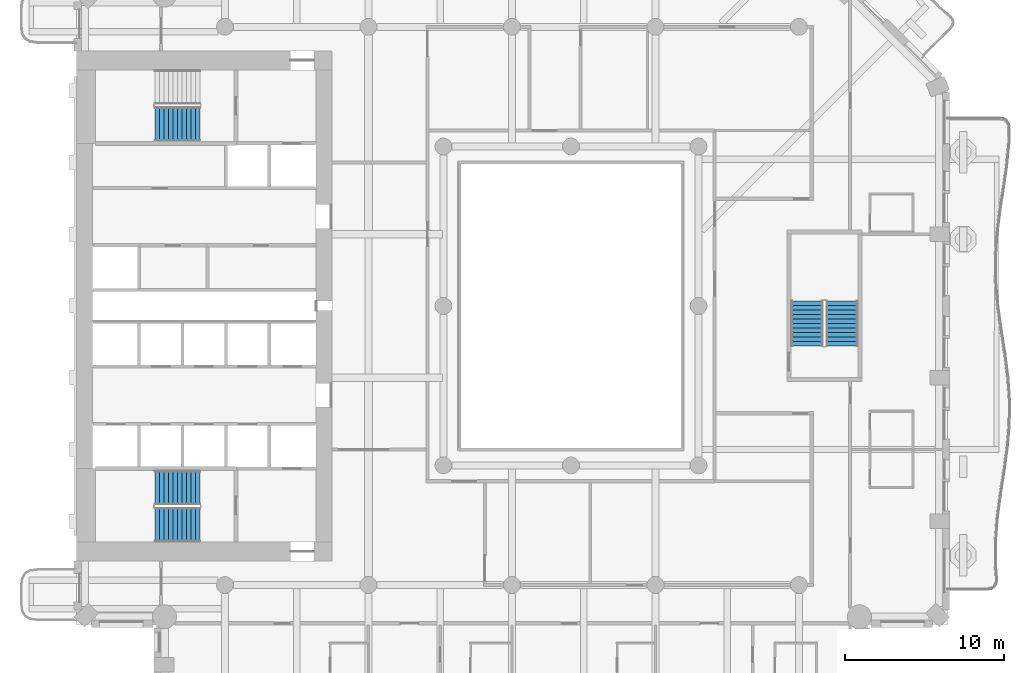
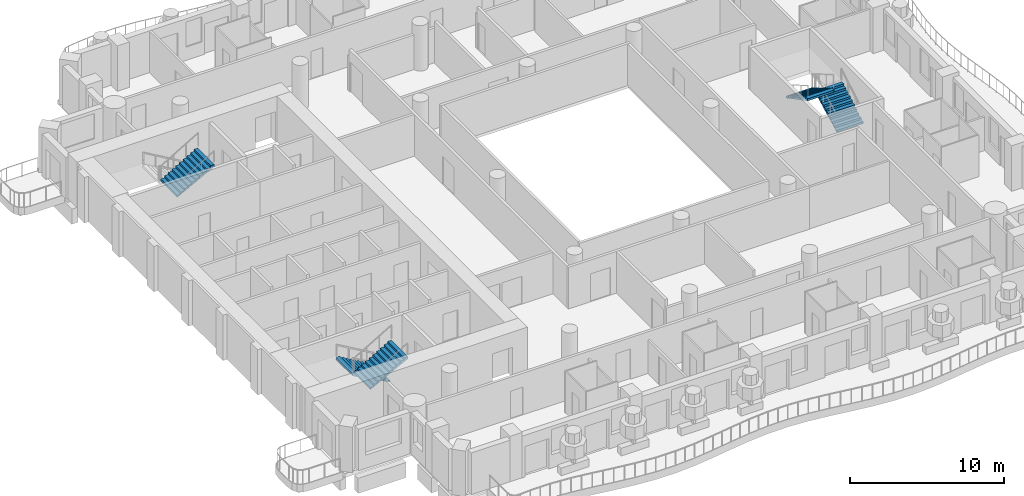
# One storey, part 10 of 19: 5 stair flights, 3 elements without a shape of their own.
"""IFC4 building model written with IfcOpenShell, lengths in metres."""

from ifc_helpers import new_model, si_unit, direction, frame, origin, place, context, subcontext, project, spatial, triangles, material, type_object, element, aggregate, save


model = new_model("IFC4")

# Units and contexts
model_context = context("Model", 3, precision=1e-05, world=origin(), true_north=direction((0.0, 1.0)))
body_context = subcontext(model_context, "Body", "Model", "MODEL_VIEW")
ifc_project = project(units=[si_unit("LENGTHUNIT", "METRE"), si_unit("AREAUNIT", "SQUARE_METRE"), si_unit("VOLUMEUNIT", "CUBIC_METRE"), si_unit("PLANEANGLEUNIT", "RADIAN"), si_unit("MASSUNIT", "GRAM", prefix="KILO")], contexts=[model_context])

# Site, building, storey
site_placement = place(None, origin())
site = spatial("IfcSite", under=ifc_project, at=site_placement, CompositionType="ELEMENT")
building_placement = place(site_placement, origin())
building = spatial("IfcBuilding", under=site, at=building_placement, Name="Cypress Arch Tower", CompositionType="ELEMENT")
storey_placement = place(building_placement, frame((0.0, 0.0, 105.89990234375)))
storey = spatial("IfcBuildingStorey", under=building, at=storey_placement, Name="L21", CompositionType="ELEMENT", Elevation=105.89990234375)

# Stair, stair flights
ifc_material_1 = material(Name="Concrete C40/50", Category="concrete")
stair_type_1 = type_object("IfcStairType", Name="Exit stair ES1636-200", PredefinedType="HALF_TURN_STAIR", material=ifc_material_1)
stair_1_placement = place(storey_placement, origin())
stair_1 = element("IfcStair", 1, at=stair_1_placement, inside=storey, type_object=stair_type_1, Name="L21 Exit stair C", PredefinedType="HALF_TURN_STAIR")
ifc_material_2 = material(Name="Concrete C40/50", Category="concrete")
stair_flight_type_1 = type_object("IfcStairFlightType", Name="Exit stair flight ES1636-200", PredefinedType="STRAIGHT", material=ifc_material_2)
stair_flight_1_placement = place(storey_placement, frame((18.0, -2.5, 0.0), z_axis=(0.0, 0.0, 1.0), x_axis=(0.0, 1.0, 0.0)))
stair_flight_1 = element("IfcStairFlight", 2, at=stair_flight_1_placement, type_object=stair_flight_type_1, Name="C flight 1", NumberOfRisers=11, NumberOfTreads=10, PredefinedType="STRAIGHT", RiserHeight=0.163636364, TreadLength=0.28, context=body_context, shape_type="Tessellation", body=[
    triangles([(0.0, -1.0, 0.0), (0.00048828125, -1.0, 0.054443359375), (0.00048828125, -1.0, 0.109130859375), (0.0, -1.0, 0.16357421875), (0.280029296875, -1.0, 0.16357421875), (0.280029296875, -1.0, 0.327392578125), (0.56005859375, -1.0, 0.327392578125), (0.56005859375, -1.0, 0.490966796875), (0.840087890625, -1.0, 0.490966796875), (0.840087890625, -1.0, 0.654541015625), (1.1201171875, -1.0, 0.654541015625), (1.1201171875, -1.0, 0.818115234375), (1.39990234375, -1.0, 0.818115234375), (1.39990234375, -1.0, 0.98193359375), (1.679931640625, -1.0, 0.98193359375), (1.679931640625, -1.0, 1.1455078125), (1.9599609375, -1.0, 1.1455078125), (1.9599609375, -1.0, 1.30908203125), (2.239990234375, -1.0, 1.30908203125), (2.239990234375, -1.0, 1.47265625), (2.52001953125, -1.0, 1.47265625), (2.52001953125, -1.0, 1.636474609375), (2.800048828125, -1.0, 1.636474609375), (2.799560546875, -1.0, 1.57861328125), (2.799560546875, -1.0, 1.5205078125), (2.800048828125, -1.0, 1.462646484375), (2.800048828125, 1.0, 1.462646484375), (2.799560546875, 1.0, 1.5205078125), (2.799560546875, 1.0, 1.57861328125), (2.800048828125, 1.0, 1.636474609375), (2.52001953125, 1.0, 1.636474609375), (2.52001953125, 1.0, 1.47265625), (2.239990234375, 1.0, 1.47265625), (2.239990234375, 1.0, 1.30908203125), (1.9599609375, 1.0, 1.30908203125), (1.9599609375, 1.0, 1.1455078125), (1.679931640625, 1.0, 1.1455078125), (1.679931640625, 1.0, 0.98193359375), (1.39990234375, 1.0, 0.98193359375), (1.39990234375, 1.0, 0.818115234375), (1.1201171875, 1.0, 0.818115234375), (1.1201171875, 1.0, 0.654541015625), (0.840087890625, 1.0, 0.654541015625), (0.840087890625, 1.0, 0.490966796875), (0.56005859375, 1.0, 0.490966796875), (0.56005859375, 1.0, 0.327392578125), (0.280029296875, 1.0, 0.327392578125), (0.280029296875, 1.0, 0.16357421875), (0.0, 1.0, 0.16357421875), (0.00048828125, 1.0, 0.109130859375), (0.00048828125, 1.0, 0.054443359375), (0.0, 1.0, 0.0), (2.799560546875, 0.0, 1.5205078125), (2.800048828125, 0.0, 1.462646484375), (2.799560546875, 0.0, 1.57861328125), (2.800048828125, 0.0, 1.636474609375), (2.52001953125, 0.0, 1.636474609375), (2.52001953125, 0.0, 1.47265625), (2.239990234375, 0.0, 1.47265625), (2.239990234375, 0.0, 1.30908203125), (1.9599609375, 0.0, 1.30908203125), (1.9599609375, 0.0, 1.1455078125), (1.679931640625, 0.0, 1.1455078125), (1.679931640625, 0.0, 0.98193359375), (1.39990234375, 0.0, 0.98193359375), (1.39990234375, 0.0, 0.818115234375), (1.1201171875, 0.0, 0.818115234375), (1.1201171875, 0.0, 0.654541015625), (0.840087890625, 0.0, 0.654541015625), (0.840087890625, 0.0, 0.490966796875), (0.56005859375, 0.0, 0.490966796875), (0.56005859375, 0.0, 0.327392578125), (0.280029296875, 0.0, 0.327392578125), (0.280029296875, 0.0, 0.16357421875), (0.0, 0.0, 0.16357421875), (0.00048828125, 0.0, 0.109130859375), (0.00048828125, 0.0, 0.054443359375), (0.0, 0.0, 0.0)], [[26, 25, 22], [25, 24, 22], [24, 23, 22], [15, 14, 13], [7, 6, 5], [13, 12, 11], [21, 20, 19], [19, 18, 17], [17, 16, 15], [11, 10, 9], [9, 8, 7], [4, 3, 5], [3, 2, 5], [2, 1, 5], [26, 22, 21], [26, 21, 19], [26, 19, 17], [26, 17, 15], [26, 15, 13], [26, 13, 11], [26, 11, 9], [26, 9, 7], [26, 7, 5], [26, 5, 1], [27, 31, 28], [28, 31, 29], [29, 31, 30], [38, 40, 39], [46, 48, 47], [40, 42, 41], [32, 34, 33], [34, 36, 35], [36, 38, 37], [42, 44, 43], [44, 46, 45], [49, 48, 50], [50, 48, 51], [51, 48, 52], [27, 32, 31], [27, 34, 32], [27, 36, 34], [27, 38, 36], [27, 40, 38], [27, 42, 40], [27, 44, 42], [27, 46, 44], [27, 48, 46], [27, 52, 48], [54, 53, 25], [54, 25, 26], [27, 28, 53], [27, 53, 54], [53, 55, 24], [53, 24, 25], [28, 29, 55], [28, 55, 53], [55, 56, 23], [55, 23, 24], [29, 30, 56], [29, 56, 55], [56, 57, 22], [56, 22, 23], [30, 31, 57], [30, 57, 56], [57, 58, 21], [57, 21, 22], [31, 32, 58], [31, 58, 57], [58, 59, 20], [58, 20, 21], [32, 33, 59], [32, 59, 58], [59, 60, 19], [59, 19, 20], [33, 34, 60], [33, 60, 59], [60, 61, 18], [60, 18, 19], [34, 35, 61], [34, 61, 60], [61, 62, 17], [61, 17, 18], [35, 36, 62], [35, 62, 61], [62, 63, 16], [62, 16, 17], [36, 37, 63], [36, 63, 62], [63, 64, 15], [63, 15, 16], [37, 38, 64], [37, 64, 63], [64, 65, 14], [64, 14, 15], [38, 39, 65], [38, 65, 64], [65, 66, 13], [65, 13, 14], [39, 40, 66], [39, 66, 65], [66, 67, 12], [66, 12, 13], [40, 41, 67], [40, 67, 66], [67, 68, 11], [67, 11, 12], [41, 42, 68], [41, 68, 67], [68, 69, 10], [68, 10, 11], [42, 43, 69], [42, 69, 68], [69, 70, 9], [69, 9, 10], [43, 44, 70], [43, 70, 69], [70, 71, 8], [70, 8, 9], [44, 45, 71], [44, 71, 70], [71, 72, 7], [71, 7, 8], [45, 46, 72], [45, 72, 71], [72, 73, 6], [72, 6, 7], [46, 47, 73], [46, 73, 72], [73, 74, 5], [73, 5, 6], [47, 48, 74], [47, 74, 73], [74, 75, 4], [74, 4, 5], [48, 49, 75], [48, 75, 74], [75, 76, 3], [75, 3, 4], [49, 50, 76], [49, 76, 75], [76, 77, 2], [76, 2, 3], [50, 51, 77], [50, 77, 76], [77, 78, 1], [77, 1, 2], [51, 52, 78], [51, 78, 77], [78, 54, 26], [78, 26, 1], [52, 27, 54], [52, 54, 78]], closed=True),
])
stair_flight_2_placement = place(storey_placement, frame((15.800048828125, 0.300048828125, 1.800048828125), z_axis=(0.0, 0.0, 1.0), x_axis=(0.0, -1.0, 0.0)))
stair_flight_2 = element("IfcStairFlight", 3, at=stair_flight_2_placement, type_object=stair_flight_type_1, Name="C flight 2", NumberOfRisers=11, NumberOfTreads=10, PredefinedType="STRAIGHT", RiserHeight=0.163636364, TreadLength=0.28, context=body_context, shape_type="Tessellation", body=[
    triangles([(0.0, -1.0, 0.0), (0.00048828125, -1.0, 0.054443359375), (0.00048828125, -1.0, 0.109130859375), (0.0, -1.0, 0.16357421875), (0.280029296875, -1.0, 0.16357421875), (0.280029296875, -1.0, 0.327392578125), (0.56005859375, -1.0, 0.327392578125), (0.56005859375, -1.0, 0.490966796875), (0.840087890625, -1.0, 0.490966796875), (0.840087890625, -1.0, 0.654541015625), (1.1201171875, -1.0, 0.654541015625), (1.1201171875, -1.0, 0.818115234375), (1.39990234375, -1.0, 0.818115234375), (1.39990234375, -1.0, 0.98193359375), (1.679931640625, -1.0, 0.98193359375), (1.679931640625, -1.0, 1.1455078125), (1.9599609375, -1.0, 1.1455078125), (1.9599609375, -1.0, 1.30908203125), (2.239990234375, -1.0, 1.30908203125), (2.239990234375, -1.0, 1.47265625), (2.52001953125, -1.0, 1.47265625), (2.52001953125, -1.0, 1.636474609375), (2.800048828125, -1.0, 1.636474609375), (2.799560546875, -1.0, 1.57861328125), (2.799560546875, -1.0, 1.5205078125), (2.800048828125, -1.0, 1.462646484375), (2.800048828125, 1.0, 1.462646484375), (2.799560546875, 1.0, 1.5205078125), (2.799560546875, 1.0, 1.57861328125), (2.800048828125, 1.0, 1.636474609375), (2.52001953125, 1.0, 1.636474609375), (2.52001953125, 1.0, 1.47265625), (2.239990234375, 1.0, 1.47265625), (2.239990234375, 1.0, 1.30908203125), (1.9599609375, 1.0, 1.30908203125), (1.9599609375, 1.0, 1.1455078125), (1.679931640625, 1.0, 1.1455078125), (1.679931640625, 1.0, 0.98193359375), (1.39990234375, 1.0, 0.98193359375), (1.39990234375, 1.0, 0.818115234375), (1.1201171875, 1.0, 0.818115234375), (1.1201171875, 1.0, 0.654541015625), (0.840087890625, 1.0, 0.654541015625), (0.840087890625, 1.0, 0.490966796875), (0.56005859375, 1.0, 0.490966796875), (0.56005859375, 1.0, 0.327392578125), (0.280029296875, 1.0, 0.327392578125), (0.280029296875, 1.0, 0.16357421875), (0.0, 1.0, 0.16357421875), (0.00048828125, 1.0, 0.109130859375), (0.00048828125, 1.0, 0.054443359375), (0.0, 1.0, 0.0), (2.799560546875, 0.0, 1.5205078125), (2.800048828125, 0.0, 1.462646484375), (2.799560546875, 0.0, 1.57861328125), (2.800048828125, 0.0, 1.636474609375), (2.52001953125, 0.0, 1.636474609375), (2.52001953125, 0.0, 1.47265625), (2.239990234375, 0.0, 1.47265625), (2.239990234375, 0.0, 1.30908203125), (1.9599609375, 0.0, 1.30908203125), (1.9599609375, 0.0, 1.1455078125), (1.679931640625, 0.0, 1.1455078125), (1.679931640625, 0.0, 0.98193359375), (1.39990234375, 0.0, 0.98193359375), (1.39990234375, 0.0, 0.818115234375), (1.1201171875, 0.0, 0.818115234375), (1.1201171875, 0.0, 0.654541015625), (0.840087890625, 0.0, 0.654541015625), (0.840087890625, 0.0, 0.490966796875), (0.56005859375, 0.0, 0.490966796875), (0.56005859375, 0.0, 0.327392578125), (0.280029296875, 0.0, 0.327392578125), (0.280029296875, 0.0, 0.16357421875), (0.0, 0.0, 0.16357421875), (0.00048828125, 0.0, 0.109130859375), (0.00048828125, 0.0, 0.054443359375), (0.0, 0.0, 0.0)], [[26, 25, 22], [25, 24, 22], [24, 23, 22], [15, 14, 13], [7, 6, 5], [13, 12, 11], [21, 20, 19], [19, 18, 17], [17, 16, 15], [11, 10, 9], [9, 8, 7], [4, 3, 5], [3, 2, 5], [2, 1, 5], [26, 22, 21], [26, 21, 19], [26, 19, 17], [26, 17, 15], [26, 15, 13], [26, 13, 11], [26, 11, 9], [26, 9, 7], [26, 7, 5], [26, 5, 1], [27, 31, 28], [28, 31, 29], [29, 31, 30], [38, 40, 39], [46, 48, 47], [40, 42, 41], [32, 34, 33], [34, 36, 35], [36, 38, 37], [42, 44, 43], [44, 46, 45], [49, 48, 50], [50, 48, 51], [51, 48, 52], [27, 32, 31], [27, 34, 32], [27, 36, 34], [27, 38, 36], [27, 40, 38], [27, 42, 40], [27, 44, 42], [27, 46, 44], [27, 48, 46], [27, 52, 48], [54, 53, 25], [54, 25, 26], [27, 28, 53], [27, 53, 54], [53, 55, 24], [53, 24, 25], [28, 29, 55], [28, 55, 53], [55, 56, 23], [55, 23, 24], [29, 30, 56], [29, 56, 55], [56, 57, 22], [56, 22, 23], [30, 31, 57], [30, 57, 56], [57, 58, 21], [57, 21, 22], [31, 32, 58], [31, 58, 57], [58, 59, 20], [58, 20, 21], [32, 33, 59], [32, 59, 58], [59, 60, 19], [59, 19, 20], [33, 34, 60], [33, 60, 59], [60, 61, 18], [60, 18, 19], [34, 35, 61], [34, 61, 60], [61, 62, 17], [61, 17, 18], [35, 36, 62], [35, 62, 61], [62, 63, 16], [62, 16, 17], [36, 37, 63], [36, 63, 62], [63, 64, 15], [63, 15, 16], [37, 38, 64], [37, 64, 63], [64, 65, 14], [64, 14, 15], [38, 39, 65], [38, 65, 64], [65, 66, 13], [65, 13, 14], [39, 40, 66], [39, 66, 65], [66, 67, 12], [66, 12, 13], [40, 41, 67], [40, 67, 66], [67, 68, 11], [67, 11, 12], [41, 42, 68], [41, 68, 67], [68, 69, 10], [68, 10, 11], [42, 43, 69], [42, 69, 68], [69, 70, 9], [69, 9, 10], [43, 44, 70], [43, 70, 69], [70, 71, 8], [70, 8, 9], [44, 45, 71], [44, 71, 70], [71, 72, 7], [71, 7, 8], [45, 46, 72], [45, 72, 71], [72, 73, 6], [72, 6, 7], [46, 47, 73], [46, 73, 72], [73, 74, 5], [73, 5, 6], [47, 48, 74], [47, 74, 73], [74, 75, 4], [74, 4, 5], [48, 49, 75], [48, 75, 74], [75, 76, 3], [75, 3, 4], [49, 50, 76], [49, 76, 75], [76, 77, 2], [76, 2, 3], [50, 51, 77], [50, 77, 76], [77, 78, 1], [77, 1, 2], [51, 52, 78], [51, 78, 77], [78, 54, 26], [78, 26, 1], [52, 27, 54], [52, 54, 78]], closed=True),
])
aggregate(stair_1, [stair_flight_1, stair_flight_2])

ifc_material_3 = material(Name="Concrete C40/50", Category="concrete")
stair_type_2 = type_object("IfcStairType", Name="Exit stair ES1636-215", PredefinedType="HALF_TURN_STAIR", material=ifc_material_3)
stair_2_placement = place(storey_placement, origin())
stair_2 = element("IfcStair", 4, at=stair_2_placement, inside=storey, type_object=stair_type_2, Name="L21 Exit stair A", PredefinedType="HALF_TURN_STAIR")
ifc_material_4 = material(Name="Concrete C40/50", Category="concrete")
stair_flight_type_2 = type_object("IfcStairFlightType", Name="Exit stair flight ES1636-215", PredefinedType="STRAIGHT", material=ifc_material_4)
stair_flight_3_placement = place(storey_placement, frame((-22.27490234375, -11.39990234375, 0.0), z_axis=(0.0, 0.0, 1.0), x_axis=(-1.0, 0.0, 0.0)))
stair_flight_3 = element("IfcStairFlight", 5, at=stair_flight_3_placement, type_object=stair_flight_type_2, Name="A flight 1", NumberOfRisers=11, NumberOfTreads=10, PredefinedType="STRAIGHT", RiserHeight=0.163636364, TreadLength=0.28, context=body_context, shape_type="Tessellation", body=[
    triangles([(0.0, -1.074951171875, 0.0), (0.000244140625, -1.074951171875, 0.03271484375), (0.00048828125, -1.074951171875, 0.0654296875), (0.00048828125, -1.074951171875, 0.09814453125), (0.000244140625, -1.074951171875, 0.130859375), (0.0, -1.074951171875, 0.16357421875), (0.280029296875, -1.074951171875, 0.16357421875), (0.280029296875, -1.074951171875, 0.327392578125), (0.56005859375, -1.074951171875, 0.327392578125), (0.56005859375, -1.074951171875, 0.490966796875), (0.840087890625, -1.074951171875, 0.490966796875), (0.840087890625, -1.074951171875, 0.654541015625), (1.1201171875, -1.074951171875, 0.654541015625), (1.1201171875, -1.074951171875, 0.818115234375), (1.39990234375, -1.074951171875, 0.818115234375), (1.39990234375, -1.074951171875, 0.98193359375), (1.679931640625, -1.074951171875, 0.98193359375), (1.679931640625, -1.074951171875, 1.1455078125), (1.9599609375, -1.074951171875, 1.1455078125), (1.9599609375, -1.074951171875, 1.30908203125), (2.239990234375, -1.074951171875, 1.30908203125), (2.239990234375, -1.074951171875, 1.47265625), (2.52001953125, -1.074951171875, 1.47265625), (2.52001953125, -1.074951171875, 1.636474609375), (2.800048828125, -1.074951171875, 1.636474609375), (2.7998046875, -1.074951171875, 1.601806640625), (2.799560546875, -1.074951171875, 1.56689453125), (2.799560546875, -1.074951171875, 1.5322265625), (2.7998046875, -1.074951171875, 1.497314453125), (2.800048828125, -1.074951171875, 1.462646484375), (2.800048828125, 1.074951171875, 1.462646484375), (2.7998046875, 1.074951171875, 1.497314453125), (2.799560546875, 1.074951171875, 1.5322265625), (2.799560546875, 1.074951171875, 1.56689453125), (2.7998046875, 1.074951171875, 1.601806640625), (2.800048828125, 1.074951171875, 1.636474609375), (2.52001953125, 1.074951171875, 1.636474609375), (2.52001953125, 1.074951171875, 1.47265625), (2.239990234375, 1.074951171875, 1.47265625), (2.239990234375, 1.074951171875, 1.30908203125), (1.9599609375, 1.074951171875, 1.30908203125), (1.9599609375, 1.074951171875, 1.1455078125), (1.679931640625, 1.074951171875, 1.1455078125), (1.679931640625, 1.074951171875, 0.98193359375), (1.39990234375, 1.074951171875, 0.98193359375), (1.39990234375, 1.074951171875, 0.818115234375), (1.1201171875, 1.074951171875, 0.818115234375), (1.1201171875, 1.074951171875, 0.654541015625), (0.840087890625, 1.074951171875, 0.654541015625), (0.840087890625, 1.074951171875, 0.490966796875), (0.56005859375, 1.074951171875, 0.490966796875), (0.56005859375, 1.074951171875, 0.327392578125), (0.280029296875, 1.074951171875, 0.327392578125), (0.280029296875, 1.074951171875, 0.16357421875), (0.0, 1.074951171875, 0.16357421875), (0.000244140625, 1.074951171875, 0.130859375), (0.00048828125, 1.074951171875, 0.09814453125), (0.00048828125, 1.074951171875, 0.0654296875), (0.000244140625, 1.074951171875, 0.03271484375), (0.0, 1.074951171875, 0.0), (2.7998046875, 0.0, 1.497314453125), (2.800048828125, 0.0, 1.462646484375), (2.799560546875, 0.0, 1.5322265625), (2.799560546875, 0.0, 1.56689453125), (2.7998046875, 0.0, 1.601806640625), (2.800048828125, 0.0, 1.636474609375), (2.52001953125, 0.0, 1.636474609375), (2.52001953125, 0.0, 1.47265625), (2.239990234375, 0.0, 1.47265625), (2.239990234375, 0.0, 1.30908203125), (1.9599609375, 0.0, 1.30908203125), (1.9599609375, 0.0, 1.1455078125), (1.679931640625, 0.0, 1.1455078125), (1.679931640625, 0.0, 0.98193359375), (1.39990234375, 0.0, 0.98193359375), (1.39990234375, 0.0, 0.818115234375), (1.1201171875, 0.0, 0.818115234375), (1.1201171875, 0.0, 0.654541015625), (0.840087890625, 0.0, 0.654541015625), (0.840087890625, 0.0, 0.490966796875), (0.56005859375, 0.0, 0.490966796875), (0.56005859375, 0.0, 0.327392578125), (0.280029296875, 0.0, 0.327392578125), (0.280029296875, 0.0, 0.16357421875), (0.0, 0.0, 0.16357421875), (0.000244140625, 0.0, 0.130859375), (0.00048828125, 0.0, 0.09814453125), (0.00048828125, 0.0, 0.0654296875), (0.000244140625, 0.0, 0.03271484375), (0.0, 0.0, 0.0)], [[30, 29, 24], [29, 28, 24], [28, 27, 24], [27, 26, 24], [26, 25, 24], [17, 16, 15], [9, 8, 7], [15, 14, 13], [23, 22, 21], [21, 20, 19], [19, 18, 17], [13, 12, 11], [11, 10, 9], [6, 5, 7], [5, 4, 7], [4, 3, 7], [3, 2, 7], [2, 1, 7], [30, 24, 23], [30, 23, 21], [30, 21, 19], [30, 19, 17], [30, 17, 15], [30, 15, 13], [30, 13, 11], [30, 11, 9], [30, 9, 7], [30, 7, 1], [31, 37, 32], [32, 37, 33], [33, 37, 34], [34, 37, 35], [35, 37, 36], [44, 46, 45], [52, 54, 53], [46, 48, 47], [38, 40, 39], [40, 42, 41], [42, 44, 43], [48, 50, 49], [50, 52, 51], [55, 54, 56], [56, 54, 57], [57, 54, 58], [58, 54, 59], [59, 54, 60], [31, 38, 37], [31, 40, 38], [31, 42, 40], [31, 44, 42], [31, 46, 44], [31, 48, 46], [31, 50, 48], [31, 52, 50], [31, 54, 52], [31, 60, 54], [62, 61, 29], [62, 29, 30], [31, 32, 61], [31, 61, 62], [61, 63, 28], [61, 28, 29], [32, 33, 63], [32, 63, 61], [63, 64, 27], [63, 27, 28], [33, 34, 64], [33, 64, 63], [64, 65, 26], [64, 26, 27], [34, 35, 65], [34, 65, 64], [65, 66, 25], [65, 25, 26], [35, 36, 66], [35, 66, 65], [66, 67, 24], [66, 24, 25], [36, 37, 67], [36, 67, 66], [67, 68, 23], [67, 23, 24], [37, 38, 68], [37, 68, 67], [68, 69, 22], [68, 22, 23], [38, 39, 69], [38, 69, 68], [69, 70, 21], [69, 21, 22], [39, 40, 70], [39, 70, 69], [70, 71, 20], [70, 20, 21], [40, 41, 71], [40, 71, 70], [71, 72, 19], [71, 19, 20], [41, 42, 72], [41, 72, 71], [72, 73, 18], [72, 18, 19], [42, 43, 73], [42, 73, 72], [73, 74, 17], [73, 17, 18], [43, 44, 74], [43, 74, 73], [74, 75, 16], [74, 16, 17], [44, 45, 75], [44, 75, 74], [75, 76, 15], [75, 15, 16], [45, 46, 76], [45, 76, 75], [76, 77, 14], [76, 14, 15], [46, 47, 77], [46, 77, 76], [77, 78, 13], [77, 13, 14], [47, 48, 78], [47, 78, 77], [78, 79, 12], [78, 12, 13], [48, 49, 79], [48, 79, 78], [79, 80, 11], [79, 11, 12], [49, 50, 80], [49, 80, 79], [80, 81, 10], [80, 10, 11], [50, 51, 81], [50, 81, 80], [81, 82, 9], [81, 9, 10], [51, 52, 82], [51, 82, 81], [82, 83, 8], [82, 8, 9], [52, 53, 83], [52, 83, 82], [83, 84, 7], [83, 7, 8], [53, 54, 84], [53, 84, 83], [84, 85, 6], [84, 6, 7], [54, 55, 85], [54, 85, 84], [85, 86, 5], [85, 5, 6], [55, 56, 86], [55, 86, 85], [86, 87, 4], [86, 4, 5], [56, 57, 87], [56, 87, 86], [87, 88, 3], [87, 3, 4], [57, 58, 88], [57, 88, 87], [88, 89, 2], [88, 2, 3], [58, 59, 89], [58, 89, 88], [89, 90, 1], [89, 1, 2], [59, 60, 90], [59, 90, 89], [90, 62, 30], [90, 30, 1], [60, 31, 62], [60, 62, 90]], closed=True),
])
stair_flight_4_placement = place(storey_placement, frame((-25.074951171875, -13.72509765625, 1.800048828125), z_axis=(0.0, 0.0, 1.0), x_axis=(1.0, 0.0, 0.0)))
stair_flight_4 = element("IfcStairFlight", 6, at=stair_flight_4_placement, type_object=stair_flight_type_2, Name="A flight 2", NumberOfRisers=11, NumberOfTreads=10, PredefinedType="STRAIGHT", RiserHeight=0.163636364, TreadLength=0.28, context=body_context, shape_type="Tessellation", body=[
    triangles([(0.0, -1.074951171875, 0.0), (0.000244140625, -1.074951171875, 0.03271484375), (0.00048828125, -1.074951171875, 0.0654296875), (0.00048828125, -1.074951171875, 0.09814453125), (0.000244140625, -1.074951171875, 0.130859375), (0.0, -1.074951171875, 0.16357421875), (0.280029296875, -1.074951171875, 0.16357421875), (0.280029296875, -1.074951171875, 0.327392578125), (0.56005859375, -1.074951171875, 0.327392578125), (0.56005859375, -1.074951171875, 0.490966796875), (0.840087890625, -1.074951171875, 0.490966796875), (0.840087890625, -1.074951171875, 0.654541015625), (1.1201171875, -1.074951171875, 0.654541015625), (1.1201171875, -1.074951171875, 0.818115234375), (1.39990234375, -1.074951171875, 0.818115234375), (1.39990234375, -1.074951171875, 0.98193359375), (1.679931640625, -1.074951171875, 0.98193359375), (1.679931640625, -1.074951171875, 1.1455078125), (1.9599609375, -1.074951171875, 1.1455078125), (1.9599609375, -1.074951171875, 1.30908203125), (2.239990234375, -1.074951171875, 1.30908203125), (2.239990234375, -1.074951171875, 1.47265625), (2.52001953125, -1.074951171875, 1.47265625), (2.52001953125, -1.074951171875, 1.636474609375), (2.800048828125, -1.074951171875, 1.636474609375), (2.7998046875, -1.074951171875, 1.601806640625), (2.799560546875, -1.074951171875, 1.56689453125), (2.799560546875, -1.074951171875, 1.5322265625), (2.7998046875, -1.074951171875, 1.497314453125), (2.800048828125, -1.074951171875, 1.462646484375), (2.800048828125, 1.074951171875, 1.462646484375), (2.7998046875, 1.074951171875, 1.497314453125), (2.799560546875, 1.074951171875, 1.5322265625), (2.799560546875, 1.074951171875, 1.56689453125), (2.7998046875, 1.074951171875, 1.601806640625), (2.800048828125, 1.074951171875, 1.636474609375), (2.52001953125, 1.074951171875, 1.636474609375), (2.52001953125, 1.074951171875, 1.47265625), (2.239990234375, 1.074951171875, 1.47265625), (2.239990234375, 1.074951171875, 1.30908203125), (1.9599609375, 1.074951171875, 1.30908203125), (1.9599609375, 1.074951171875, 1.1455078125), (1.679931640625, 1.074951171875, 1.1455078125), (1.679931640625, 1.074951171875, 0.98193359375), (1.39990234375, 1.074951171875, 0.98193359375), (1.39990234375, 1.074951171875, 0.818115234375), (1.1201171875, 1.074951171875, 0.818115234375), (1.1201171875, 1.074951171875, 0.654541015625), (0.840087890625, 1.074951171875, 0.654541015625), (0.840087890625, 1.074951171875, 0.490966796875), (0.56005859375, 1.074951171875, 0.490966796875), (0.56005859375, 1.074951171875, 0.327392578125), (0.280029296875, 1.074951171875, 0.327392578125), (0.280029296875, 1.074951171875, 0.16357421875), (0.0, 1.074951171875, 0.16357421875), (0.000244140625, 1.074951171875, 0.130859375), (0.00048828125, 1.074951171875, 0.09814453125), (0.00048828125, 1.074951171875, 0.0654296875), (0.000244140625, 1.074951171875, 0.03271484375), (0.0, 1.074951171875, 0.0), (2.7998046875, 0.0, 1.497314453125), (2.800048828125, 0.0, 1.462646484375), (2.799560546875, 0.0, 1.5322265625), (2.799560546875, 0.0, 1.56689453125), (2.7998046875, 0.0, 1.601806640625), (2.800048828125, 0.0, 1.636474609375), (2.52001953125, 0.0, 1.636474609375), (2.52001953125, 0.0, 1.47265625), (2.239990234375, 0.0, 1.47265625), (2.239990234375, 0.0, 1.30908203125), (1.9599609375, 0.0, 1.30908203125), (1.9599609375, 0.0, 1.1455078125), (1.679931640625, 0.0, 1.1455078125), (1.679931640625, 0.0, 0.98193359375), (1.39990234375, 0.0, 0.98193359375), (1.39990234375, 0.0, 0.818115234375), (1.1201171875, 0.0, 0.818115234375), (1.1201171875, 0.0, 0.654541015625), (0.840087890625, 0.0, 0.654541015625), (0.840087890625, 0.0, 0.490966796875), (0.56005859375, 0.0, 0.490966796875), (0.56005859375, 0.0, 0.327392578125), (0.280029296875, 0.0, 0.327392578125), (0.280029296875, 0.0, 0.16357421875), (0.0, 0.0, 0.16357421875), (0.000244140625, 0.0, 0.130859375), (0.00048828125, 0.0, 0.09814453125), (0.00048828125, 0.0, 0.0654296875), (0.000244140625, 0.0, 0.03271484375), (0.0, 0.0, 0.0)], [[30, 29, 24], [29, 28, 24], [28, 27, 24], [27, 26, 24], [26, 25, 24], [17, 16, 15], [9, 8, 7], [15, 14, 13], [23, 22, 21], [21, 20, 19], [19, 18, 17], [13, 12, 11], [11, 10, 9], [6, 5, 7], [5, 4, 7], [4, 3, 7], [3, 2, 7], [2, 1, 7], [30, 24, 23], [30, 23, 21], [30, 21, 19], [30, 19, 17], [30, 17, 15], [30, 15, 13], [30, 13, 11], [30, 11, 9], [30, 9, 7], [30, 7, 1], [31, 37, 32], [32, 37, 33], [33, 37, 34], [34, 37, 35], [35, 37, 36], [44, 46, 45], [52, 54, 53], [46, 48, 47], [38, 40, 39], [40, 42, 41], [42, 44, 43], [48, 50, 49], [50, 52, 51], [55, 54, 56], [56, 54, 57], [57, 54, 58], [58, 54, 59], [59, 54, 60], [31, 38, 37], [31, 40, 38], [31, 42, 40], [31, 44, 42], [31, 46, 44], [31, 48, 46], [31, 50, 48], [31, 52, 50], [31, 54, 52], [31, 60, 54], [62, 61, 29], [62, 29, 30], [31, 32, 61], [31, 61, 62], [61, 63, 28], [61, 28, 29], [32, 33, 63], [32, 63, 61], [63, 64, 27], [63, 27, 28], [33, 34, 64], [33, 64, 63], [64, 65, 26], [64, 26, 27], [34, 35, 65], [34, 65, 64], [65, 66, 25], [65, 25, 26], [35, 36, 66], [35, 66, 65], [66, 67, 24], [66, 24, 25], [36, 37, 67], [36, 67, 66], [67, 68, 23], [67, 23, 24], [37, 38, 68], [37, 68, 67], [68, 69, 22], [68, 22, 23], [38, 39, 69], [38, 69, 68], [69, 70, 21], [69, 21, 22], [39, 40, 70], [39, 70, 69], [70, 71, 20], [70, 20, 21], [40, 41, 71], [40, 71, 70], [71, 72, 19], [71, 19, 20], [41, 42, 72], [41, 72, 71], [72, 73, 18], [72, 18, 19], [42, 43, 73], [42, 73, 72], [73, 74, 17], [73, 17, 18], [43, 44, 74], [43, 74, 73], [74, 75, 16], [74, 16, 17], [44, 45, 75], [44, 75, 74], [75, 76, 15], [75, 15, 16], [45, 46, 76], [45, 76, 75], [76, 77, 14], [76, 14, 15], [46, 47, 77], [46, 77, 76], [77, 78, 13], [77, 13, 14], [47, 48, 78], [47, 78, 77], [78, 79, 12], [78, 12, 13], [48, 49, 79], [48, 79, 78], [79, 80, 11], [79, 11, 12], [49, 50, 80], [49, 80, 79], [80, 81, 10], [80, 10, 11], [50, 51, 81], [50, 81, 80], [81, 82, 9], [81, 9, 10], [51, 52, 82], [51, 82, 81], [82, 83, 8], [82, 8, 9], [52, 53, 83], [52, 83, 82], [83, 84, 7], [83, 7, 8], [53, 54, 84], [53, 84, 83], [84, 85, 6], [84, 6, 7], [54, 55, 85], [54, 85, 84], [85, 86, 5], [85, 5, 6], [55, 56, 86], [55, 86, 85], [86, 87, 4], [86, 4, 5], [56, 57, 87], [56, 87, 86], [87, 88, 3], [87, 3, 4], [57, 58, 88], [57, 88, 87], [88, 89, 2], [88, 2, 3], [58, 59, 89], [58, 89, 88], [89, 90, 1], [89, 1, 2], [59, 60, 90], [59, 90, 89], [90, 62, 30], [90, 30, 1], [60, 31, 62], [60, 62, 90]], closed=True),
])
aggregate(stair_2, [stair_flight_3, stair_flight_4])

# Stair, stair flight
stair_3_placement = place(storey_placement, origin())
stair_3 = element("IfcStair", 7, at=stair_3_placement, inside=storey, type_object=stair_type_2, Name="L21 Exit stair B", PredefinedType="HALF_TURN_STAIR")
stair_flight_5_placement = place(storey_placement, frame((-25.074951171875, 11.39990234375, 1.800048828125), z_axis=(0.0, 0.0, 1.0), x_axis=(1.0, 0.0, 0.0)))
stair_flight_5 = element("IfcStairFlight", 8, at=stair_flight_5_placement, type_object=stair_flight_type_2, Name="B flight 2", NumberOfRisers=11, NumberOfTreads=10, PredefinedType="STRAIGHT", RiserHeight=0.163636364, TreadLength=0.28, context=body_context, shape_type="Tessellation", body=[
    triangles([(0.0, -1.074951171875, 0.0), (0.000244140625, -1.074951171875, 0.03271484375), (0.00048828125, -1.074951171875, 0.0654296875), (0.00048828125, -1.074951171875, 0.09814453125), (0.000244140625, -1.074951171875, 0.130859375), (0.0, -1.074951171875, 0.16357421875), (0.280029296875, -1.074951171875, 0.16357421875), (0.280029296875, -1.074951171875, 0.327392578125), (0.56005859375, -1.074951171875, 0.327392578125), (0.56005859375, -1.074951171875, 0.490966796875), (0.840087890625, -1.074951171875, 0.490966796875), (0.840087890625, -1.074951171875, 0.654541015625), (1.1201171875, -1.074951171875, 0.654541015625), (1.1201171875, -1.074951171875, 0.818115234375), (1.39990234375, -1.074951171875, 0.818115234375), (1.39990234375, -1.074951171875, 0.98193359375), (1.679931640625, -1.074951171875, 0.98193359375), (1.679931640625, -1.074951171875, 1.1455078125), (1.9599609375, -1.074951171875, 1.1455078125), (1.9599609375, -1.074951171875, 1.30908203125), (2.239990234375, -1.074951171875, 1.30908203125), (2.239990234375, -1.074951171875, 1.47265625), (2.52001953125, -1.074951171875, 1.47265625), (2.52001953125, -1.074951171875, 1.636474609375), (2.800048828125, -1.074951171875, 1.636474609375), (2.7998046875, -1.074951171875, 1.601806640625), (2.799560546875, -1.074951171875, 1.56689453125), (2.799560546875, -1.074951171875, 1.5322265625), (2.7998046875, -1.074951171875, 1.497314453125), (2.800048828125, -1.074951171875, 1.462646484375), (2.800048828125, 1.074951171875, 1.462646484375), (2.7998046875, 1.074951171875, 1.497314453125), (2.799560546875, 1.074951171875, 1.5322265625), (2.799560546875, 1.074951171875, 1.56689453125), (2.7998046875, 1.074951171875, 1.601806640625), (2.800048828125, 1.074951171875, 1.636474609375), (2.52001953125, 1.074951171875, 1.636474609375), (2.52001953125, 1.074951171875, 1.47265625), (2.239990234375, 1.074951171875, 1.47265625), (2.239990234375, 1.074951171875, 1.30908203125), (1.9599609375, 1.074951171875, 1.30908203125), (1.9599609375, 1.074951171875, 1.1455078125), (1.679931640625, 1.074951171875, 1.1455078125), (1.679931640625, 1.074951171875, 0.98193359375), (1.39990234375, 1.074951171875, 0.98193359375), (1.39990234375, 1.074951171875, 0.818115234375), (1.1201171875, 1.074951171875, 0.818115234375), (1.1201171875, 1.074951171875, 0.654541015625), (0.840087890625, 1.074951171875, 0.654541015625), (0.840087890625, 1.074951171875, 0.490966796875), (0.56005859375, 1.074951171875, 0.490966796875), (0.56005859375, 1.074951171875, 0.327392578125), (0.280029296875, 1.074951171875, 0.327392578125), (0.280029296875, 1.074951171875, 0.16357421875), (0.0, 1.074951171875, 0.16357421875), (0.000244140625, 1.074951171875, 0.130859375), (0.00048828125, 1.074951171875, 0.09814453125), (0.00048828125, 1.074951171875, 0.0654296875), (0.000244140625, 1.074951171875, 0.03271484375), (0.0, 1.074951171875, 0.0), (2.7998046875, 0.0, 1.497314453125), (2.800048828125, 0.0, 1.462646484375), (2.799560546875, 0.0, 1.5322265625), (2.799560546875, 0.0, 1.56689453125), (2.7998046875, 0.0, 1.601806640625), (2.800048828125, 0.0, 1.636474609375), (2.52001953125, 0.0, 1.636474609375), (2.52001953125, 0.0, 1.47265625), (2.239990234375, 0.0, 1.47265625), (2.239990234375, 0.0, 1.30908203125), (1.9599609375, 0.0, 1.30908203125), (1.9599609375, 0.0, 1.1455078125), (1.679931640625, 0.0, 1.1455078125), (1.679931640625, 0.0, 0.98193359375), (1.39990234375, 0.0, 0.98193359375), (1.39990234375, 0.0, 0.818115234375), (1.1201171875, 0.0, 0.818115234375), (1.1201171875, 0.0, 0.654541015625), (0.840087890625, 0.0, 0.654541015625), (0.840087890625, 0.0, 0.490966796875), (0.56005859375, 0.0, 0.490966796875), (0.56005859375, 0.0, 0.327392578125), (0.280029296875, 0.0, 0.327392578125), (0.280029296875, 0.0, 0.16357421875), (0.0, 0.0, 0.16357421875), (0.000244140625, 0.0, 0.130859375), (0.00048828125, 0.0, 0.09814453125), (0.00048828125, 0.0, 0.0654296875), (0.000244140625, 0.0, 0.03271484375), (0.0, 0.0, 0.0)], [[30, 29, 24], [29, 28, 24], [28, 27, 24], [27, 26, 24], [26, 25, 24], [17, 16, 15], [9, 8, 7], [15, 14, 13], [23, 22, 21], [21, 20, 19], [19, 18, 17], [13, 12, 11], [11, 10, 9], [6, 5, 7], [5, 4, 7], [4, 3, 7], [3, 2, 7], [2, 1, 7], [30, 24, 23], [30, 23, 21], [30, 21, 19], [30, 19, 17], [30, 17, 15], [30, 15, 13], [30, 13, 11], [30, 11, 9], [30, 9, 7], [30, 7, 1], [31, 37, 32], [32, 37, 33], [33, 37, 34], [34, 37, 35], [35, 37, 36], [44, 46, 45], [52, 54, 53], [46, 48, 47], [38, 40, 39], [40, 42, 41], [42, 44, 43], [48, 50, 49], [50, 52, 51], [55, 54, 56], [56, 54, 57], [57, 54, 58], [58, 54, 59], [59, 54, 60], [31, 38, 37], [31, 40, 38], [31, 42, 40], [31, 44, 42], [31, 46, 44], [31, 48, 46], [31, 50, 48], [31, 52, 50], [31, 54, 52], [31, 60, 54], [62, 61, 29], [62, 29, 30], [31, 32, 61], [31, 61, 62], [61, 63, 28], [61, 28, 29], [32, 33, 63], [32, 63, 61], [63, 64, 27], [63, 27, 28], [33, 34, 64], [33, 64, 63], [64, 65, 26], [64, 26, 27], [34, 35, 65], [34, 65, 64], [65, 66, 25], [65, 25, 26], [35, 36, 66], [35, 66, 65], [66, 67, 24], [66, 24, 25], [36, 37, 67], [36, 67, 66], [67, 68, 23], [67, 23, 24], [37, 38, 68], [37, 68, 67], [68, 69, 22], [68, 22, 23], [38, 39, 69], [38, 69, 68], [69, 70, 21], [69, 21, 22], [39, 40, 70], [39, 70, 69], [70, 71, 20], [70, 20, 21], [40, 41, 71], [40, 71, 70], [71, 72, 19], [71, 19, 20], [41, 42, 72], [41, 72, 71], [72, 73, 18], [72, 18, 19], [42, 43, 73], [42, 73, 72], [73, 74, 17], [73, 17, 18], [43, 44, 74], [43, 74, 73], [74, 75, 16], [74, 16, 17], [44, 45, 75], [44, 75, 74], [75, 76, 15], [75, 15, 16], [45, 46, 76], [45, 76, 75], [76, 77, 14], [76, 14, 15], [46, 47, 77], [46, 77, 76], [77, 78, 13], [77, 13, 14], [47, 48, 78], [47, 78, 77], [78, 79, 12], [78, 12, 13], [48, 49, 79], [48, 79, 78], [79, 80, 11], [79, 11, 12], [49, 50, 80], [49, 80, 79], [80, 81, 10], [80, 10, 11], [50, 51, 81], [50, 81, 80], [81, 82, 9], [81, 9, 10], [51, 52, 82], [51, 82, 81], [82, 83, 8], [82, 8, 9], [52, 53, 83], [52, 83, 82], [83, 84, 7], [83, 7, 8], [53, 54, 84], [53, 84, 83], [84, 85, 6], [84, 6, 7], [54, 55, 85], [54, 85, 84], [85, 86, 5], [85, 5, 6], [55, 56, 86], [55, 86, 85], [86, 87, 4], [86, 4, 5], [56, 57, 87], [56, 87, 86], [87, 88, 3], [87, 3, 4], [57, 58, 88], [57, 88, 87], [88, 89, 2], [88, 2, 3], [58, 59, 89], [58, 89, 88], [89, 90, 1], [89, 1, 2], [59, 60, 90], [59, 90, 89], [90, 62, 30], [90, 30, 1], [60, 31, 62], [60, 62, 90]], closed=True),
])
aggregate(stair_3, [stair_flight_5])

save(model, "model.ifc")
